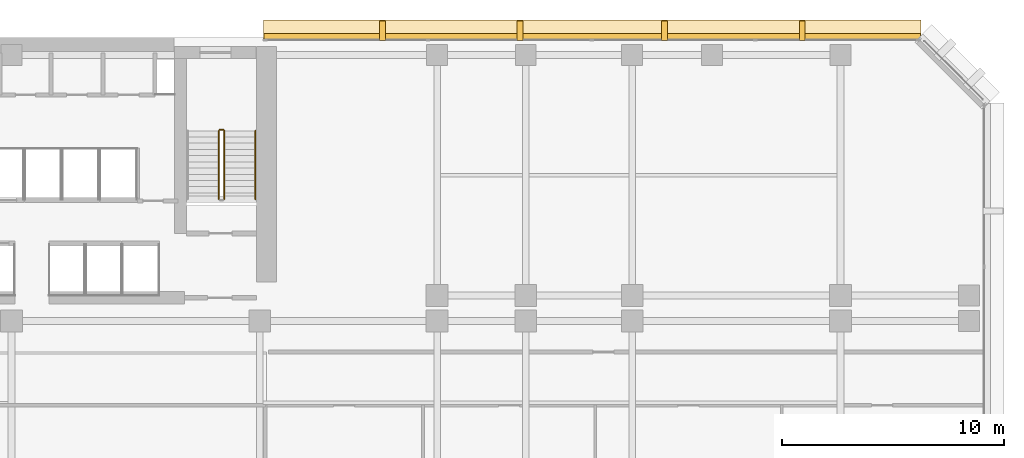
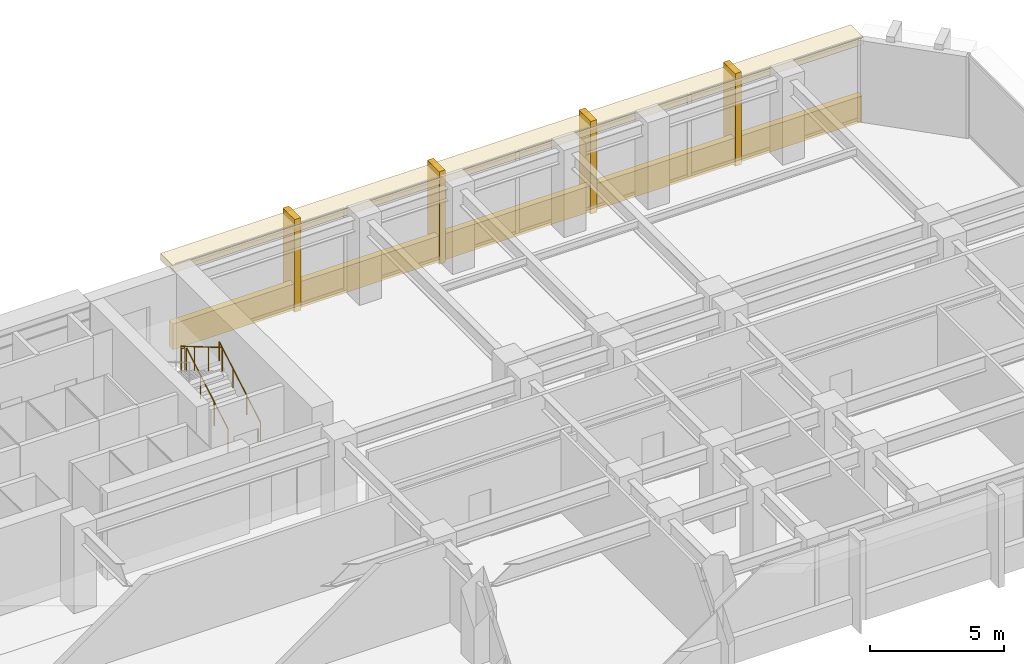
# One storey, part 12 of 13: 6 coverings, 4 railings.
"""IFC4 building model written with IfcOpenShell, lengths in metres."""

import ifcopenshell
import ifcopenshell.guid

model = None  # the IFC model being written
_history = None  # IfcOwnerHistory: only IFC2X3 demands one
_inside = {}  # id of a spatial element -> (the spatial element, [elements in it])
_under = {}  # id of a project, library or spatial element -> (it, [spatial elements below it])
_declared = {}  # id of a project -> (the project, [libraries it declares])
_typed = {}  # id of a type object -> (the type object, [elements of that type])
_made_of = {}  # id of a material, layer set ... -> (it, [elements and type objects made of it])


def new_model(schema):
    """Start an empty IFC model of exactly this schema.

    Asked for "IFC4X3", IfcOpenShell would pick the latest addendum, in which some entities
    have other attributes; the version numbers below select the first issue.
    IFC2X3 requires an IfcOwnerHistory on every rooted entity: one is made here for all.
    """
    global model, _history
    if schema == "IFC4X3":
        model = ifcopenshell.file(schema_version=(4, 3, 0, 0))
    else:
        model = ifcopenshell.file(schema=schema)
    _inside.clear()
    _under.clear()
    _declared.clear()
    _typed.clear()
    _made_of.clear()
    _history = None
    if model.schema == "IFC2X3":
        org = make("IfcOrganization", Name="unknown")
        user = make(
            "IfcPersonAndOrganization",
            ThePerson=make("IfcPerson", FamilyName="unknown"),
            TheOrganization=org,
        )
        app = make(
            "IfcApplication",
            ApplicationDeveloper=org,
            Version="unknown",
            ApplicationFullName="unknown",
            ApplicationIdentifier="unknown",
        )
        _history = make(
            "IfcOwnerHistory",
            OwningUser=user,
            OwningApplication=app,
            ChangeAction="ADDED",
            CreationDate=0,
        )
    return model


def make(cls, **values):
    """One entity of the class cls with the attributes given. An attribute that is None is left unset."""
    return model.create_entity(
        cls, **{name: value for name, value in values.items() if value is not None}
    )


def rooted(cls, **values):
    """An entity with a GlobalId (a new one), such as an element, a storey or a relation."""
    return make(cls, GlobalId=ifcopenshell.guid.new(), OwnerHistory=_history, **values)


def si_unit(unit_type, name, prefix=None):
    """IfcSIUnit, for example si_unit("LENGTHUNIT", "METRE", prefix="MILLI")."""
    return make("IfcSIUnit", UnitType=unit_type, Prefix=prefix, Name=name)


def assignment(units):
    """IfcUnitAssignment: the units of a project."""
    return None if units is None else make("IfcUnitAssignment", Units=units)


def point(xyz):
    """IfcCartesianPoint."""
    return None if xyz is None else make("IfcCartesianPoint", Coordinates=xyz)


def direction(xyz):
    """IfcDirection."""
    return None if xyz is None else make("IfcDirection", DirectionRatios=xyz)


def frame(location, z_axis=None, x_axis=None):
    """IfcAxis2Placement3D, a coordinate frame: its origin and axes. An axis left out is left unset."""
    return make(
        "IfcAxis2Placement3D",
        Location=point(location),
        Axis=direction(z_axis),
        RefDirection=direction(x_axis),
    )


def frame_2d(location, x_axis=None):
    """IfcAxis2Placement2D, a coordinate frame in the plane: its origin and x axis."""
    return make(
        "IfcAxis2Placement2D", Location=point(location), RefDirection=direction(x_axis)
    )


def origin():
    """The frame at (0, 0, 0) with its axes left unset."""
    return frame((0.0, 0.0, 0.0))


def origin_2d():
    """The frame at (0, 0) in the plane with its x axis left unset."""
    return frame_2d((0.0, 0.0))


def place(relative_to, where):
    """IfcLocalPlacement: puts the frame where relative to a parent placement (None: the world)."""
    return make(
        "IfcLocalPlacement", PlacementRelTo=relative_to, RelativePlacement=where
    )


def context(
    kind, dimensions, precision=None, world=None, true_north=None, identifier=None
):
    """IfcGeometricRepresentationContext, for example the 3D "Model" context."""
    return make(
        "IfcGeometricRepresentationContext",
        ContextIdentifier=identifier,
        ContextType=kind,
        CoordinateSpaceDimension=dimensions,
        Precision=precision,
        WorldCoordinateSystem=world,
        TrueNorth=true_north,
    )


def subcontext(parent, identifier, kind, view, scale=None):
    """IfcGeometricRepresentationSubContext, for example "Body" below "Model"."""
    return make(
        "IfcGeometricRepresentationSubContext",
        ContextIdentifier=identifier,
        ContextType=kind,
        ParentContext=parent,
        TargetScale=scale,
        TargetView=view,
    )


def project(units=None, contexts=None):
    """IfcProject with its units and contexts."""
    return rooted(
        "IfcProject",
        Name="project",
        RepresentationContexts=contexts,
        UnitsInContext=assignment(units),
    )


def spatial(cls, under=None, at=None, **own):
    """A site, building, storey or space (cls), placed at a placement, below another one or the project."""
    s = rooted(cls, ObjectPlacement=at, **own)
    if under is not None:
        _under.setdefault(under.id(), (under, []))[1].append(s)
    return s


def profile(cls, at=None, kind="AREA", **sizes):
    """A parametric profile (cls). Its sizes go by their IFC names, for example OverallWidth=200.0."""
    return make(cls, ProfileType=kind, Position=at, **sizes)


def rectangle(**sizes):
    """IfcRectangleProfileDef."""
    return profile("IfcRectangleProfileDef", **sizes)


def circle(**sizes):
    """IfcCircleProfileDef."""
    return profile("IfcCircleProfileDef", **sizes)


def extrude(swept, where, along, depth):
    """IfcExtrudedAreaSolid: the profile swept, set in the frame where, extruded along a direction by depth."""
    return make(
        "IfcExtrudedAreaSolid",
        SweptArea=swept,
        Position=where,
        ExtrudedDirection=direction(along),
        Depth=depth,
    )


def shape(context_of_items, identifier, shape_type, items):
    """IfcShapeRepresentation: the items that make up one representation, for example the "Body"."""
    return make(
        "IfcShapeRepresentation",
        ContextOfItems=context_of_items,
        RepresentationIdentifier=identifier,
        RepresentationType=shape_type,
        Items=items,
    )


def material(Name=None, Category=None):
    """IfcMaterial."""
    return make("IfcMaterial", Name=Name, Category=Category)


def layer(
    of_material, thickness, ventilated=None, Name=None, Category=None, Priority=None
):
    """IfcMaterialLayer: one layer of a wall or slab, of a material (None: an air gap)."""
    return make(
        "IfcMaterialLayer",
        Material=of_material,
        LayerThickness=thickness,
        IsVentilated=ventilated,
        Name=Name,
        Category=Category,
        Priority=Priority,
    )


def layer_set(layers, Name=None):
    """IfcMaterialLayerSet."""
    return make("IfcMaterialLayerSet", MaterialLayers=layers, LayerSetName=Name)


def made_of(thing, what):
    """Note that an element or type object is made of a material, layer set ...; save() writes the relation."""
    if what is not None:
        _made_of.setdefault(what.id(), (what, []))[1].append(thing)
    return thing


def type_object(cls, material=None, **own):
    """A type object (cls), such as IfcWallType, which elements share."""
    return made_of(rooted(cls, **own), material)


def element(
    cls,
    number,
    at=None,
    inside=None,
    cuts=None,
    type_object=None,
    material=None,
    context=None,
    identifier="Body",
    shape_type=None,
    held_by="IfcProductDefinitionShape",
    body=None,
    shapes=None,
    **own,
):
    """One element of the class cls, such as IfcWall. Its Tag is "e" and its number.

    at: its placement. inside: the storey or other place that contains it. cuts: it is an
    opening in that element (IfcRelVoidsElement). A single representation is given by context,
    identifier, shape_type and body (its items); several are given by shapes. held_by: the class
    of the entity that holds the representations. save() writes the other relations.
    """
    e = rooted(cls, Tag="e%d" % number, ObjectPlacement=at, **own)
    if body is not None:
        shapes = [shape(context, identifier, shape_type, body)]
    if shapes is not None:
        e.Representation = make(held_by, Representations=shapes)
    if inside is not None:
        _inside.setdefault(inside.id(), (inside, []))[1].append(e)
    if cuts is not None:
        rooted(
            "IfcRelVoidsElement", RelatingBuildingElement=cuts, RelatedOpeningElement=e
        )
    if type_object is not None:
        _typed.setdefault(type_object.id(), (type_object, []))[1].append(e)
    return made_of(e, material)


def aggregate(whole, parts):
    """IfcRelAggregates: a whole, such as a stair, and the parts it consists of."""
    return rooted("IfcRelAggregates", RelatingObject=whole, RelatedObjects=parts)


def save(model, path):
    """Write the relations noted so far, then the file.

    IfcRelAggregates (storeys below a building ...), IfcRelContainedInSpatialStructure (elements
    in a storey), IfcRelDefinesByType, IfcRelAssociatesMaterial and IfcRelDeclares: one each for
    every whole, place, type object, material and project.
    """
    for whole, parts in _under.values():
        aggregate(whole, parts)
    for where, things in _inside.values():
        rooted(
            "IfcRelContainedInSpatialStructure",
            RelatedElements=things,
            RelatingStructure=where,
        )
    for kind, things in _typed.values():
        rooted("IfcRelDefinesByType", RelatedObjects=things, RelatingType=kind)
    for what, things in _made_of.values():
        rooted("IfcRelAssociatesMaterial", RelatedObjects=things, RelatingMaterial=what)
    for by, libraries in _declared.values():
        rooted("IfcRelDeclares", RelatingContext=by, RelatedDefinitions=libraries)
    model.write(path)


model = new_model("IFC4")

# Units and contexts
model_context = context("Model", 3, precision=1e-05, world=origin(), true_north=direction((0.0, 1.0)))
body_context = subcontext(model_context, "Body", "Model", "MODEL_VIEW")
ifc_project = project(units=[si_unit("LENGTHUNIT", "METRE"), si_unit("AREAUNIT", "SQUARE_METRE"), si_unit("VOLUMEUNIT", "CUBIC_METRE"), si_unit("PLANEANGLEUNIT", "RADIAN"), si_unit("MASSUNIT", "GRAM", prefix="KILO")], contexts=[model_context])

# Site, building, storey
site_placement = place(None, origin())
site = spatial("IfcSite", under=ifc_project, at=site_placement, CompositionType="ELEMENT")
building_placement = place(site_placement, origin())
building = spatial("IfcBuilding", under=site, at=building_placement, Name="Kefirva Bronze Tower", CompositionType="ELEMENT")
storey_placement = place(building_placement, frame((0.0, 0.0, 81.840087890625)))
storey = spatial("IfcBuildingStorey", under=building, at=storey_placement, Name="L19", CompositionType="ELEMENT", Elevation=81.840087890625)

# Covering
ifc_material_1 = material(Name="Bronze anodised aluminium", Category="aluminium")
ifc_layer_1 = layer(ifc_material_1, 0.02001953125, Name="Bronze anodised aluminium")
ifc_layer_set_1 = layer_set([ifc_layer_1], Name="Bronze anodised aluminium")
covering_type_1 = type_object("IfcCoveringType", Name="Anodised Bronze Spandrel Cladding 20mm", PredefinedType="CLADDING", material=ifc_layer_set_1)
covering_1_placement = place(storey_placement, frame((38.202392578125, 46.0400390625, -0.16015625), z_axis=(0.0, 0.0, 1.0), x_axis=(-1.0, 0.0, 0.0)))
element("IfcCovering", 1, at=covering_1_placement, inside=storey, type_object=covering_type_1, Name="L19 Streamline Horizontal Spandrel Band 8", PredefinedType="CLADDING", context=body_context, shape_type="SweptSolid", body=[
    extrude(rectangle(XDim=29.635009765625, YDim=0.280029296875, at=origin_2d()), origin(), (0.0, 0.0, 1.0), 1.179931640625),
])

# Railings
ifc_material_2 = material(Name="Stainless steel 316", Category="steel")
railing_type_1 = type_object("IfcRailingType", Name="Interior Stair Guardrail 1100mm", PredefinedType="GUARDRAIL", material=ifc_material_2)
railing_1_placement = place(storey_placement, frame((21.60009765625, 38.699951171875, 0.164794921875)))
element("IfcRailing", 2, at=railing_1_placement, inside=storey, type_object=railing_type_1, Name="L19 ST-2 stair guard 1", PredefinedType="GUARDRAIL", context=body_context, shape_type="SweptSolid", body=[
    extrude(circle(Radius=0.02392578125, at=origin_2d()), frame((0.0, 0.0, 1.076171875), z_axis=(0.0, 0.861521393093, 0.507721271215), x_axis=(-1.0, 0.0, 0.0)), (0.0, 0.0, 1.0), 3.5751953125),
    extrude(circle(Radius=0.02099609375, at=origin_2d()), origin(), (0.0, 0.0, 1.0), 1.052001953125),
    extrude(circle(Radius=0.02099609375, at=origin_2d()), frame((0.0, 1.026611328125, 0.60498046875)), (0.0, 0.0, 1.0), 1.052001953125),
    extrude(circle(Radius=0.02099609375, at=origin_2d()), frame((0.0, 2.053466796875, 1.210205078125)), (0.0, 0.0, 1.0), 1.052001953125),
    extrude(circle(Radius=0.02099609375, at=origin_2d()), frame((0.0, 3.080078125, 1.815185546875)), (0.0, 0.0, 1.0), 1.052001953125),
])
railing_2_placement = place(storey_placement, frame((21.550048828125, 41.830078125, 1.97998046875)))
element("IfcRailing", 3, at=railing_2_placement, inside=storey, type_object=railing_type_1, Name="L19 ST-2 stair guard 2", PredefinedType="GUARDRAIL", context=body_context, shape_type="SweptSolid", body=[
    extrude(circle(Radius=0.02392578125, at=origin_2d()), frame((0.0, 0.0, 1.076171875), z_axis=(-1.0, 0.0, 0.0), x_axis=(0.0, -1.0, 0.0)), (0.0, 0.0, 1.0), 0.150146484375),
    extrude(circle(Radius=0.02099609375, at=origin_2d()), origin(), (0.0, 0.0, 1.0), 1.052001953125),
    extrude(circle(Radius=0.02099609375, at=origin_2d()), frame((-0.150146484375, 0.0, 0.0)), (0.0, 0.0, 1.0), 1.052001953125),
])
railing_3_placement = place(storey_placement, frame((21.35009765625, 41.780029296875, 2.14501953125)))
element("IfcRailing", 4, at=railing_3_placement, inside=storey, type_object=railing_type_1, Name="L19 ST-2 stair guard 3", PredefinedType="GUARDRAIL", context=body_context, shape_type="SweptSolid", body=[
    extrude(circle(Radius=0.02392578125, at=origin_2d()), frame((0.0, 0.0, 1.076171875), z_axis=(0.0, -0.861551262678, 0.507670583921), x_axis=(1.0, 0.0, 0.0)), (0.0, 0.0, 1.0), 3.574951171875),
    extrude(circle(Radius=0.02099609375, at=origin_2d()), origin(), (0.0, 0.0, 1.0), 1.052001953125),
    extrude(circle(Radius=0.02099609375, at=origin_2d()), frame((0.0, -1.026611328125, 0.60498046875)), (0.0, 0.0, 1.0), 1.052001953125),
    extrude(circle(Radius=0.02099609375, at=origin_2d()), frame((0.0, -2.053466796875, 1.2099609375)), (0.0, 0.0, 1.0), 1.052001953125),
    extrude(circle(Radius=0.02099609375, at=origin_2d()), frame((0.0, -3.080078125, 1.81494140625)), (0.0, 0.0, 1.0), 1.052001953125),
])
railing_type_2 = type_object("IfcRailingType", Name="Stair Pitch Handrail 900mm", PredefinedType="HANDRAIL", material=ifc_material_2)
railing_4_placement = place(storey_placement, frame((23.0, 38.699951171875, 0.164794921875)))
element("IfcRailing", 5, at=railing_4_placement, inside=storey, type_object=railing_type_2, Name="L19 ST-2 stair handrail 1", PredefinedType="HANDRAIL", context=body_context, shape_type="SweptSolid", body=[
    extrude(circle(Radius=0.02392578125, at=origin_2d()), frame((0.0, 0.0, 0.8759765625), z_axis=(0.0, 0.861521393093, 0.507721271215), x_axis=(-1.0, 0.0, 0.0)), (0.0, 0.0, 1.0), 3.5751953125),
    extrude(circle(Radius=0.02099609375, at=origin_2d()), origin(), (0.0, 0.0, 1.0), 0.851806640625),
    extrude(circle(Radius=0.02099609375, at=origin_2d()), frame((0.0, 1.026611328125, 0.60498046875)), (0.0, 0.0, 1.0), 0.851806640625),
    extrude(circle(Radius=0.02099609375, at=origin_2d()), frame((0.0, 2.053466796875, 1.210205078125)), (0.0, 0.0, 1.0), 0.851806640625),
    extrude(circle(Radius=0.02099609375, at=origin_2d()), frame((0.0, 3.080078125, 1.815185546875)), (0.0, 0.0, 1.0), 0.851806640625),
])

# Coverings
ifc_layer_2 = layer(ifc_material_1, 0.179931640625, Name="Bronze anodised aluminium")
ifc_layer_set_2 = layer_set([ifc_layer_2], Name="Bronze anodised aluminium")
covering_type_2 = type_object("IfcCoveringType", Name="Streamline Bronze Sunshade Eyebrow Cladding 180mm", PredefinedType="CLADDING", material=ifc_layer_set_2)
covering_2_placement = place(storey_placement, frame((38.202392578125, 46.31005859375, 3.3896484375), z_axis=(0.0, 0.0, 1.0), x_axis=(-1.0, 0.0, 0.0)))
element("IfcCovering", 6, at=covering_2_placement, inside=storey, type_object=covering_type_2, Name="L19 Streamline Bronze Sunshade Eyebrow 8", PredefinedType="CLADDING", context=body_context, shape_type="SweptSolid", body=[
    extrude(rectangle(XDim=29.675048828125, YDim=0.93994140625, at=origin_2d()), origin(), (0.0, 0.0, 1.0), 0.320068359375),
])
ifc_layer_3 = layer(ifc_material_1, 0.260009765625, Name="Bronze anodised aluminium")
ifc_layer_set_3 = layer_set([ifc_layer_3], Name="Bronze anodised aluminium")
covering_type_3 = type_object("IfcCoveringType", Name="Unbroken Bronze Buttress Fin Cladding 260mm", PredefinedType="CLADDING", material=ifc_layer_set_3)
for number, where, z_axis, x_axis, name in (
    (7, (47.6728515625, 46.300048828125, -0.25), (0.0, 0.0, 1.0), (-1.0, 0.0, 0.0), "L19 Unbroken Vertical Bronze Rib Fin 19"),
    (8, (41.4580078125, 46.300048828125, -0.25), (0.0, 0.0, 1.0), (-1.0, 0.0, 0.0), "L19 Unbroken Vertical Bronze Rib Fin 20"),
    (9, (34.947021484375, 46.300048828125, -0.25), (0.0, 0.0, 1.0), (-1.0, 0.0, 0.0), "L19 Unbroken Vertical Bronze Rib Fin 21"),
    (10, (28.732177734375, 46.300048828125, -0.25), (0.0, 0.0, 1.0), (-1.0, 0.0, 0.0), "L19 Unbroken Vertical Bronze Rib Fin 22"),
):
    element("IfcCovering", number, at=place(storey_placement, frame(where, z_axis=z_axis, x_axis=x_axis)), inside=storey, type_object=covering_type_3, Name=name, PredefinedType="CLADDING", context=body_context, shape_type="SweptSolid", body=[
        extrude(rectangle(XDim=0.260009765625, YDim=0.8798828125, at=origin_2d()), origin(), (0.0, 0.0, 1.0), 4.2099609375),
    ])

save(model, "model.ifc")
